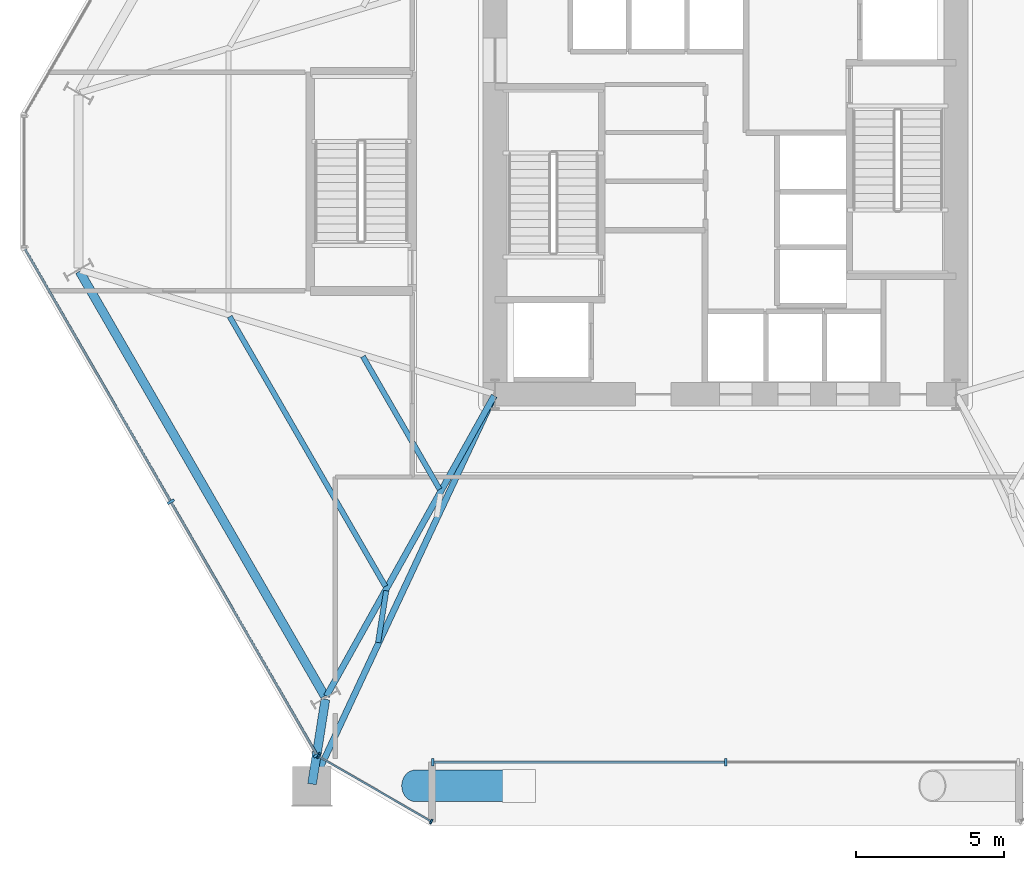
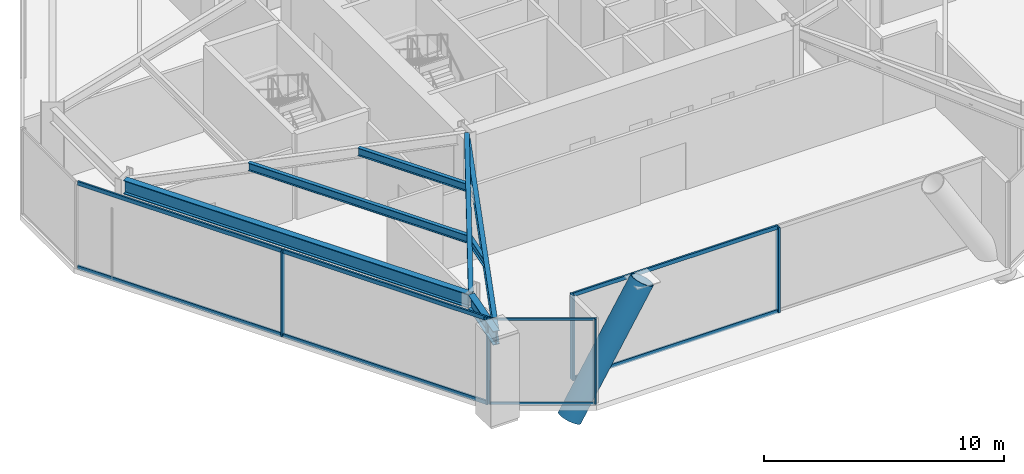
# One storey, part 5 of 23: 15 members, 7 beams, 3 elements without a shape of their own.
"""IFC4 building model written with IfcOpenShell, lengths in metres."""

from ifc_helpers import new_model, si_unit, direction, frame, origin, origin_2d, place, context, subcontext, project, spatial, rectangle, hollow_circle, i_section, extrude, material, layer, layer_set, material_profile, profile_set, type_object, element, aggregate, save


model = new_model("IFC4")

# Units and contexts
model_context = context("Model", 3, precision=1e-05, world=origin(), true_north=direction((0.0, 1.0)))
body_context = subcontext(model_context, "Body", "Model", "MODEL_VIEW")
ifc_project = project(units=[si_unit("LENGTHUNIT", "METRE"), si_unit("AREAUNIT", "SQUARE_METRE"), si_unit("VOLUMEUNIT", "CUBIC_METRE"), si_unit("PLANEANGLEUNIT", "RADIAN"), si_unit("MASSUNIT", "GRAM", prefix="KILO")], contexts=[model_context])

# Site, building, storey
site_placement = place(None, origin())
site = spatial("IfcSite", under=ifc_project, at=site_placement, CompositionType="ELEMENT")
building_placement = place(site_placement, origin())
building = spatial("IfcBuilding", under=site, at=building_placement, Name="Kranzbogen Civic Tower", CompositionType="ELEMENT")
storey_placement = place(building_placement, frame((0.0, 0.0, 9.800048828125)))
storey = spatial("IfcBuildingStorey", under=building, at=storey_placement, Name="L02", CompositionType="ELEMENT", Elevation=9.800048828125)

# Curtain wall, members
ifc_material_1 = material(Name="Pale Anodised Aluminium", Category="aluminium")
ifc_layer_1 = layer(ifc_material_1, 0.219970703125, Name="Pale Anodised Aluminium")
ifc_layer_set_1 = layer_set([ifc_layer_1], Name="Pale Anodised Aluminium")
curtain_wall_type_1 = type_object("IfcCurtainWallType", Name="Chamfer Facet Stick Curtain Wall System CW-06", PredefinedType="USERDEFINED", material=ifc_layer_set_1)
curtain_wall_1_placement = place(storey_placement, origin())
curtain_wall_1 = element("IfcCurtainWall", 1, at=curtain_wall_1_placement, inside=storey, type_object=curtain_wall_type_1, Name="L02 curtain wall CW-L02-C4", ObjectType="STICK CURTAIN WALL", PredefinedType="USERDEFINED")
ifc_material_profile_1 = material_profile(ifc_material_1, rectangle(XDim=0.06005859375, YDim=0.159912109375, at=origin_2d()), Name="ALU-M 60x160")
ifc_profile_set_1 = profile_set([ifc_material_profile_1], Name="Pale Anodised Aluminium")
member_type_1 = type_object("IfcMemberType", Name="Curtain Wall Mullion ALU-M 60x160", PredefinedType="MULLION", material=ifc_profile_set_1)
member_1_placement = place(storey_placement, frame((11.221923828125, 5.549072265625, 0.0), z_axis=(0.0, 0.0, 1.0), x_axis=(0.865992001897, -0.500057849305, 0.0)))
member_1 = element("IfcMember", 2, at=member_1_placement, type_object=member_type_1, Name="CW-06 mullion 1", PredefinedType="MULLION", context=body_context, shape_type="SweptSolid", body=[
    extrude(rectangle(XDim=0.06005859375, YDim=0.159912109375, at=origin_2d()), origin(), (0.0, 0.0, 1.0), 4.33984375),
])
member_2_placement = place(storey_placement, frame((15.0439453125, 3.342041015625, 0.0), z_axis=(0.0, 0.0, 1.0), x_axis=(0.865992001897, -0.500057849305, 0.0)))
member_2 = element("IfcMember", 3, at=member_2_placement, type_object=member_type_1, Name="CW-06 mullion 2", PredefinedType="MULLION", context=body_context, shape_type="SweptSolid", body=[
    extrude(rectangle(XDim=0.06005859375, YDim=0.159912109375, at=origin_2d()), origin(), (0.0, 0.0, 1.0), 4.33984375),
])

ifc_layer_2 = layer(ifc_material_1, 0.219970703125, Name="Pale Anodised Aluminium")
ifc_layer_set_2 = layer_set([ifc_layer_2], Name="Pale Anodised Aluminium")
curtain_wall_type_2 = type_object("IfcCurtainWallType", Name="Podium Stick Curtain Wall System CW-01", PredefinedType="USERDEFINED", material=ifc_layer_set_2)
curtain_wall_2_placement = place(storey_placement, origin())
curtain_wall_2 = element("IfcCurtainWall", 4, at=curtain_wall_2_placement, inside=storey, type_object=curtain_wall_type_2, Name="L02 curtain wall CW-L02-F4", ObjectType="STICK CURTAIN WALL", PredefinedType="USERDEFINED")
ifc_material_profile_2 = material_profile(ifc_material_1, rectangle(XDim=0.0849609375, YDim=0.260009765625, at=origin_2d()), Name="ALU-M 85x260")
ifc_profile_set_2 = profile_set([ifc_material_profile_2], Name="Pale Anodised Aluminium")
member_type_2 = type_object("IfcMemberType", Name="Curtain Wall Mullion ALU-M 85x260", PredefinedType="MULLION", material=ifc_profile_set_2)
member_3_placement = place(storey_placement, frame((6.23095703125, 14.16357421875, 0.0), z_axis=(0.0, 0.0, 1.0), x_axis=(0.500005767433, -0.86602207393, 0.0)))
member_3 = element("IfcMember", 5, at=member_3_placement, type_object=member_type_2, Name="CW-01 mullion 2", PredefinedType="MULLION", context=body_context, shape_type="SweptSolid", body=[
    extrude(rectangle(XDim=0.0849609375, YDim=0.260009765625, at=origin_2d()), origin(), (0.0, 0.0, 1.0), 4.33984375),
])
member_4_placement = place(storey_placement, frame((11.180908203125, 5.590087890625, 0.0), z_axis=(0.0, 0.0, 1.0), x_axis=(0.500005767433, -0.86602207393, 0.0)))
member_4 = element("IfcMember", 6, at=member_4_placement, type_object=member_type_2, Name="CW-01 mullion 3", PredefinedType="MULLION", context=body_context, shape_type="SweptSolid", body=[
    extrude(rectangle(XDim=0.0849609375, YDim=0.260009765625, at=origin_2d()), origin(), (0.0, 0.0, 1.0), 4.33984375),
])

curtain_wall_3_placement = place(storey_placement, origin())
curtain_wall_3 = element("IfcCurtainWall", 7, at=curtain_wall_3_placement, inside=storey, type_object=curtain_wall_type_2, Name="L02 curtain wall CW-L02-F5", ObjectType="STICK CURTAIN WALL", PredefinedType="USERDEFINED")
member_5_placement = place(storey_placement, frame((15.10009765625, 5.35009765625, 0.0), z_axis=(0.0, 0.0, 1.0), x_axis=(1.0, 0.0, 0.0)))
member_5 = element("IfcMember", 8, at=member_5_placement, type_object=member_type_2, Name="CW-01 mullion 1", PredefinedType="MULLION", context=body_context, shape_type="SweptSolid", body=[
    extrude(rectangle(XDim=0.0849609375, YDim=0.260009765625, at=origin_2d()), origin(), (0.0, 0.0, 1.0), 4.33984375),
])
member_6_placement = place(storey_placement, frame((25.0, 5.35009765625, 0.0), z_axis=(0.0, 0.0, 1.0), x_axis=(1.0, 0.0, 0.0)))
member_6 = element("IfcMember", 9, at=member_6_placement, type_object=member_type_2, Name="CW-01 mullion 2", PredefinedType="MULLION", context=body_context, shape_type="SweptSolid", body=[
    extrude(rectangle(XDim=0.0849609375, YDim=0.260009765625, at=origin_2d()), origin(), (0.0, 0.0, 1.0), 4.33984375),
])

# Member
ifc_material_profile_3 = material_profile(ifc_material_1, rectangle(XDim=0.06005859375, YDim=0.1201171875, at=origin_2d()), Name="ALU-T 60x120")
ifc_profile_set_3 = profile_set([ifc_material_profile_3], Name="Pale Anodised Aluminium")
member_type_3 = type_object("IfcMemberType", Name="Curtain Wall Transom ALU-T 60x120", PredefinedType="USERDEFINED", material=ifc_profile_set_3)
member_7_placement = place(storey_placement, frame((11.248046875, 5.533935546875, 0.030029296875), z_axis=(0.865987588642, -0.500065492029, 0.0), x_axis=(0.500065492029, 0.865987588642, 0.0)))
member_7 = element("IfcMember", 10, at=member_7_placement, type_object=member_type_3, Name="CW-06 transom 1.1", ObjectType="TRANSOM", PredefinedType="USERDEFINED", context=body_context, shape_type="SweptSolid", body=[
    extrude(rectangle(XDim=0.06005859375, YDim=0.1201171875, at=origin_2d()), origin(), (0.0, 0.0, 1.0), 4.353515625),
])

member_8_placement = place(storey_placement, frame((11.248046875, 5.533935546875, 4.31005859375), z_axis=(0.865987588642, -0.500065492029, 0.0), x_axis=(0.500065492029, 0.865987588642, 0.0)))
member_8 = element("IfcMember", 11, at=member_8_placement, type_object=member_type_3, Name="CW-06 transom 1.2", ObjectType="TRANSOM", PredefinedType="USERDEFINED", context=body_context, shape_type="SweptSolid", body=[
    extrude(rectangle(XDim=0.06005859375, YDim=0.1201171875, at=origin_2d()), origin(), (0.0, 0.0, 1.0), 4.353515625),
])

aggregate(curtain_wall_1, [member_1, member_2, member_7, member_8])

ifc_material_profile_4 = material_profile(ifc_material_1, rectangle(XDim=0.0849609375, YDim=0.195068359375, at=origin_2d()), Name="ALU-T 85x195")
ifc_profile_set_4 = profile_set([ifc_material_profile_4], Name="Pale Anodised Aluminium")
member_type_4 = type_object("IfcMemberType", Name="Curtain Wall Transom ALU-T 85x195", PredefinedType="USERDEFINED", material=ifc_profile_set_4)
member_9_placement = place(storey_placement, frame((1.2958984375, 22.7109375, 0.030029296875), z_axis=(0.500021701106, -0.866012874282, 0.0), x_axis=(0.866012874282, 0.500021701106, 0.0)))
member_9 = element("IfcMember", 12, at=member_9_placement, type_object=member_type_4, Name="CW-01 transom 1.1", ObjectType="TRANSOM", PredefinedType="USERDEFINED", context=body_context, shape_type="SweptSolid", body=[
    extrude(rectangle(XDim=0.0849609375, YDim=0.195068359375, at=origin_2d()), origin(), (0.0, 0.0, 1.0), 9.83984375),
])

member_10_placement = place(storey_placement, frame((1.2958984375, 22.7109375, 4.31005859375), z_axis=(0.500021701106, -0.866012874282, 0.0), x_axis=(0.866012874282, 0.500021701106, 0.0)))
member_10 = element("IfcMember", 13, at=member_10_placement, type_object=member_type_4, Name="CW-01 transom 1.2", ObjectType="TRANSOM", PredefinedType="USERDEFINED", context=body_context, shape_type="SweptSolid", body=[
    extrude(rectangle(XDim=0.0849609375, YDim=0.195068359375, at=origin_2d()), origin(), (0.0, 0.0, 1.0), 9.83984375),
])

member_11_placement = place(storey_placement, frame((6.24609375, 14.137451171875, 0.030029296875), z_axis=(0.500003092839, -0.866023618125, 0.0), x_axis=(0.866023618125, 0.500003092839, 0.0)))
member_11 = element("IfcMember", 14, at=member_11_placement, type_object=member_type_4, Name="CW-01 transom 2.1", ObjectType="TRANSOM", PredefinedType="USERDEFINED", context=body_context, shape_type="SweptSolid", body=[
    extrude(rectangle(XDim=0.0849609375, YDim=0.195068359375, at=origin_2d()), origin(), (0.0, 0.0, 1.0), 9.83984375),
])

member_12_placement = place(storey_placement, frame((6.24609375, 14.137451171875, 4.31005859375), z_axis=(0.500003092839, -0.866023618125, 0.0), x_axis=(0.866023618125, 0.500003092839, 0.0)))
member_12 = element("IfcMember", 15, at=member_12_placement, type_object=member_type_4, Name="CW-01 transom 2.2", ObjectType="TRANSOM", PredefinedType="USERDEFINED", context=body_context, shape_type="SweptSolid", body=[
    extrude(rectangle(XDim=0.0849609375, YDim=0.195068359375, at=origin_2d()), origin(), (0.0, 0.0, 1.0), 9.83984375),
])

aggregate(curtain_wall_2, [member_3, member_4, member_9, member_10, member_11, member_12])

member_13_placement = place(storey_placement, frame((15.1298828125, 5.35009765625, 0.030029296875), z_axis=(1.0, 0.0, 0.0), x_axis=(0.0, 1.0, 0.0)))
member_13 = element("IfcMember", 16, at=member_13_placement, type_object=member_type_4, Name="CW-01 transom 1.1", ObjectType="TRANSOM", PredefinedType="USERDEFINED", context=body_context, shape_type="SweptSolid", body=[
    extrude(rectangle(XDim=0.0849609375, YDim=0.195068359375, at=origin_2d()), origin(), (0.0, 0.0, 1.0), 9.840087890625),
])

member_14_placement = place(storey_placement, frame((15.1298828125, 5.35009765625, 4.31005859375), z_axis=(1.0, 0.0, 0.0), x_axis=(0.0, 1.0, 0.0)))
member_14 = element("IfcMember", 17, at=member_14_placement, type_object=member_type_4, Name="CW-01 transom 1.2", ObjectType="TRANSOM", PredefinedType="USERDEFINED", context=body_context, shape_type="SweptSolid", body=[
    extrude(rectangle(XDim=0.0849609375, YDim=0.195068359375, at=origin_2d()), origin(), (0.0, 0.0, 1.0), 9.840087890625),
])

aggregate(curtain_wall_3, [member_5, member_6, member_13, member_14])

# Beams
ifc_material_2 = material(Name="Steel S355", Category="steel")
ifc_material_profile_5 = material_profile(ifc_material_2, i_section(OverallWidth=0.300048828125, OverallDepth=0.699951171875, WebThickness=0.01708984375, FlangeThickness=0.031982421875, at=origin_2d()), Name="HEB 700")
ifc_profile_set_5 = profile_set([ifc_material_profile_5], Name="Steel S355")
beam_type_1 = type_object("IfcBeamType", Name="Perimeter Tube Spandrel Beam HEB 700", PredefinedType="SPANDREL", material=ifc_profile_set_5)
beam_1_placement = place(storey_placement, frame((3.139892578125, 21.9619140625, 3.989990234375), z_axis=(0.500010210561, -0.866019508634, 0.0), x_axis=(0.866019508634, 0.500010210561, 0.0)))
element("IfcBeam", 18, at=beam_1_placement, inside=storey, type_object=beam_type_1, Name="L02 perimeter spandrel beam 01", PredefinedType="SPANDREL", context=body_context, shape_type="SweptSolid", body=[
    extrude(i_section(OverallWidth=0.300048828125, OverallDepth=0.699951171875, WebThickness=0.01708984375, FlangeThickness=0.031982421875, at=origin_2d()), origin(), (0.0, 0.0, 1.0), 16.597900390625),
])
beam_2_placement = place(storey_placement, frame((11.4599609375, 7.47705078125, 3.989990234375), z_axis=(-0.155310516678, -0.9878657011, 0.0), x_axis=(0.9878657011, -0.155310516678, 0.0)))
element("IfcBeam", 19, at=beam_2_placement, inside=storey, type_object=beam_type_1, Name="L02 perimeter spandrel beam 02", PredefinedType="SPANDREL", context=body_context, shape_type="SweptSolid", body=[
    extrude(i_section(OverallWidth=0.300048828125, OverallDepth=0.699951171875, WebThickness=0.01708984375, FlangeThickness=0.031982421875, at=origin_2d()), origin(), (0.0, 0.0, 1.0), 2.9033203125),
])

# Member
ifc_material_3 = material(Name="Steel S460", Category="steel")
ifc_material_profile_6 = material_profile(ifc_material_3, hollow_circle(Radius=0.533447265625, WallThickness=0.0400390625, at=origin_2d()), Name="CHS 1067x40")
ifc_profile_set_6 = profile_set([ifc_material_profile_6], Name="Steel S460")
member_type_5 = type_object("IfcMemberType", Name="Portal Arch Rib Segment CHS 1067x40", PredefinedType="USERDEFINED", material=ifc_profile_set_6)
member_15_placement = place(storey_placement, frame((14.5, 4.550048828125, -1.261962890625), z_axis=(0.515881565394, 0.0, 0.856659915303), x_axis=(0.0, 1.0, 0.0)))
element("IfcMember", 20, at=member_15_placement, inside=storey, type_object=member_type_5, Name="ARC-1: Giant South Portal Arch rib segment 2", ObjectType="ARCH_SEGMENT", PredefinedType="USERDEFINED", context=body_context, shape_type="SweptSolid", body=[
    extrude(hollow_circle(Radius=0.533447265625, WallThickness=0.0400390625, at=origin_2d()), origin(), (0.0, 0.0, 1.0), 6.784423828125),
])

# Beams
ifc_material_profile_7 = material_profile(ifc_material_2, i_section(OverallWidth=0.2099609375, OverallDepth=0.550048828125, WebThickness=0.010986328125, FlangeThickness=0.01708984375, at=origin_2d()), Name="IPE 550")
ifc_profile_set_7 = profile_set([ifc_material_profile_7], Name="Steel S355")
beam_type_2 = type_object("IfcBeamType", Name="Radial Tower Floor Girder IPE 550", PredefinedType="BEAM", material=ifc_profile_set_7)
beam_3_placement = place(storey_placement, frame((11.498046875, 7.587890625, 4.06494140625), z_axis=(0.487501570266, 0.87312211001, 0.0), x_axis=(-0.87312211001, 0.487501570266, 0.0)))
element("IfcBeam", 21, at=beam_3_placement, inside=storey, type_object=beam_type_2, Name="L02 radial floor girder 02", PredefinedType="BEAM", context=body_context, shape_type="SweptSolid", body=[
    extrude(i_section(OverallWidth=0.2099609375, OverallDepth=0.550048828125, WebThickness=0.010986328125, FlangeThickness=0.01708984375, at=origin_2d()), origin(), (0.0, 0.0, 1.0), 11.636474609375),
])
beam_4_placement = place(storey_placement, frame((11.02490234375, 4.60400390625, 4.06494140625), z_axis=(0.423857000271, 0.905729122487, 0.0), x_axis=(-0.905729122487, 0.423857000271, 0.0)))
element("IfcBeam", 22, at=beam_4_placement, inside=storey, type_object=beam_type_2, Name="L02 radial floor girder 03", PredefinedType="BEAM", context=body_context, shape_type="SweptSolid", body=[
    extrude(i_section(OverallWidth=0.2099609375, OverallDepth=0.550048828125, WebThickness=0.010986328125, FlangeThickness=0.01708984375, at=origin_2d()), origin(), (0.0, 0.0, 1.0), 14.510009765625),
])
ifc_material_profile_8 = material_profile(ifc_material_2, i_section(OverallWidth=0.179931640625, OverallDepth=0.39990234375, WebThickness=0.008544921875, FlangeThickness=0.013427734375, at=origin_2d()), Name="IPE 400")
ifc_profile_set_8 = profile_set([ifc_material_profile_8], Name="Steel S355")
beam_type_3 = type_object("IfcBeamType", Name="Secondary Composite Floor Joist IPE 400", PredefinedType="JOIST", material=ifc_profile_set_8)
beam_5_placement = place(storey_placement, frame((8.221923828125, 20.427978515625, 4.139892578125), z_axis=(0.500000488781, -0.866025121586, 0.0), x_axis=(0.866025121586, 0.500000488781, 0.0)))
element("IfcBeam", 23, at=beam_5_placement, inside=storey, type_object=beam_type_3, Name="L02 secondary floor joist 1.01", PredefinedType="JOIST", context=body_context, shape_type="SweptSolid", body=[
    extrude(i_section(OverallWidth=0.179931640625, OverallDepth=0.39990234375, WebThickness=0.008544921875, FlangeThickness=0.013427734375, at=origin_2d()), origin(), (0.0, 0.0, 1.0), 10.5400390625),
])
beam_6_placement = place(storey_placement, frame((12.73095703125, 19.0791015625, 4.139892578125), z_axis=(0.500040090343, -0.866002256377, 0.0), x_axis=(0.866002256377, 0.500040090343, 0.0)))
element("IfcBeam", 24, at=beam_6_placement, inside=storey, type_object=beam_type_3, Name="L02 secondary floor joist 2.01", PredefinedType="JOIST", context=body_context, shape_type="SweptSolid", body=[
    extrude(i_section(OverallWidth=0.179931640625, OverallDepth=0.39990234375, WebThickness=0.008544921875, FlangeThickness=0.013427734375, at=origin_2d()), origin(), (0.0, 0.0, 1.0), 5.189453125),
])
beam_7_placement = place(storey_placement, frame((13.52001953125, 11.152099609375, 4.139892578125), z_axis=(-0.155581109843, -0.987823120938, 0.0), x_axis=(0.987823120938, -0.155581109843, 0.0)))
element("IfcBeam", 25, at=beam_7_placement, inside=storey, type_object=beam_type_3, Name="L02 secondary floor joist 1.02", PredefinedType="JOIST", context=body_context, shape_type="SweptSolid", body=[
    extrude(i_section(OverallWidth=0.179931640625, OverallDepth=0.39990234375, WebThickness=0.008544921875, FlangeThickness=0.013427734375, at=origin_2d()), origin(), (0.0, 0.0, 1.0), 1.77490234375),
])

save(model, "model.ifc")
